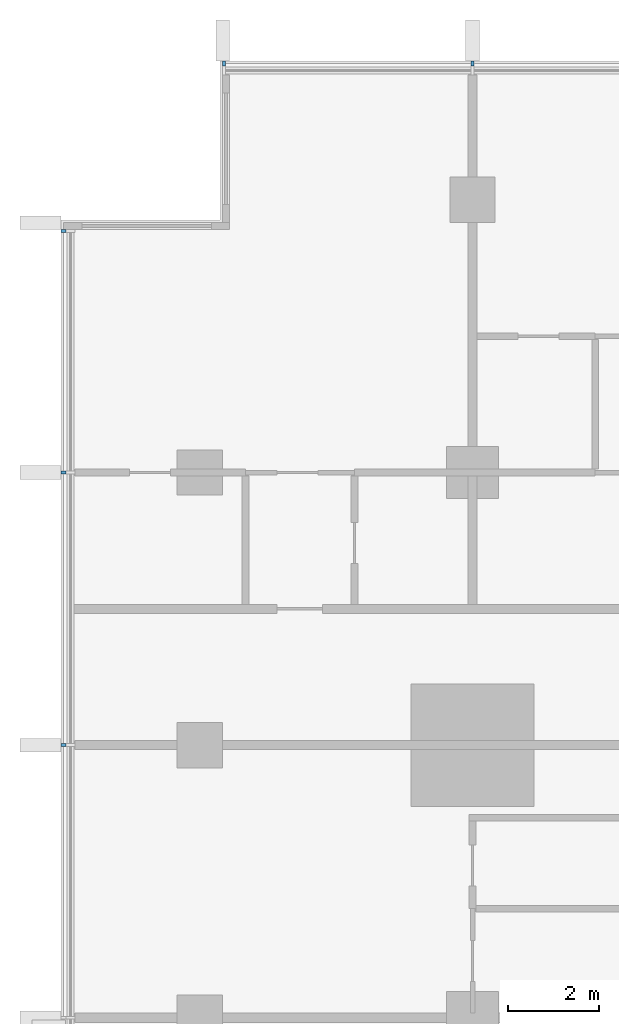
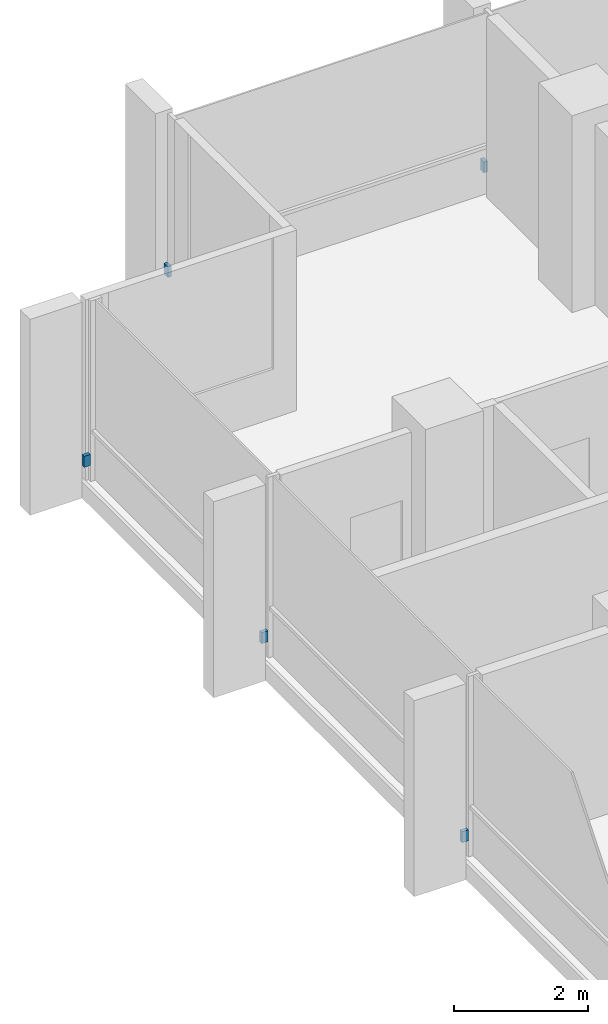
# One storey, part 15 of 17: 5 discrete accessories.
"""IFC4 building model written with IfcOpenShell, lengths in metres."""

from ifc_helpers import new_model, si_unit, direction, frame, origin, origin_2d, place, context, subcontext, project, spatial, rectangle, extrude, material, type_object, element, save


model = new_model("IFC4")

# Units and contexts
model_context = context("Model", 3, precision=1e-05, world=origin(), true_north=direction((0.0, 1.0)))
body_context = subcontext(model_context, "Body", "Model", "MODEL_VIEW")
ifc_project = project(units=[si_unit("LENGTHUNIT", "METRE"), si_unit("AREAUNIT", "SQUARE_METRE"), si_unit("VOLUMEUNIT", "CUBIC_METRE"), si_unit("PLANEANGLEUNIT", "RADIAN"), si_unit("MASSUNIT", "GRAM", prefix="KILO")], contexts=[model_context])

# Site, building, storey
site_placement = place(None, origin())
site = spatial("IfcSite", under=ifc_project, at=site_placement, CompositionType="ELEMENT")
building_placement = place(site_placement, origin())
building = spatial("IfcBuilding", under=site, at=building_placement, Name="Finial Court Residences", CompositionType="ELEMENT")
storey_placement = place(building_placement, frame((0.0, 0.0, 124.300048828125)))
storey = spatial("IfcBuildingStorey", under=building, at=storey_placement, Name="L31", CompositionType="ELEMENT", Elevation=124.300048828125)

# Discrete accessories
ifc_material = material(Name="Stainless steel 316", Category="steel")
discrete_accessory_type = type_object("IfcDiscreteAccessoryType", Name="Fin bracket, stainless steel 65 x 110 x 200", PredefinedType="BRACKET", material=ifc_material)
for number, where, z_axis, x_axis, name in (
    (1, (-21.967529296875, 22.5048828125, 0.2998046875), (0.0, 0.0, 1.0), (1.0, 0.0, 0.0), "E-L31-FIN-N1-BRK"),
    (2, (-16.5, 22.5048828125, 0.2998046875), (0.0, 0.0, 1.0), (1.0, 0.0, 0.0), "E-L31-FIN-N2-BRK"),
):
    element("IfcDiscreteAccessory", number, at=place(storey_placement, frame(where, z_axis=z_axis, x_axis=x_axis)), inside=storey, type_object=discrete_accessory_type, Name=name, PredefinedType="BRACKET", context=body_context, shape_type="SweptSolid", body=[
        extrude(rectangle(XDim=0.06494140625, YDim=0.110107421875, at=origin_2d()), origin(), (0.0, 0.0, 1.0), 0.199951171875),
    ])
for number, where, z_axis, x_axis, name in (
    (3, (-25.5048828125, 7.5, 0.2998046875), (0.0, 0.0, 1.0), (1.0, 0.0, 0.0), "E-L31-FIN-W30-BRK"),
    (4, (-25.5048828125, 13.5, 0.2998046875), (0.0, 0.0, 1.0), (1.0, 0.0, 0.0), "E-L31-FIN-W31-BRK"),
    (5, (-25.5048828125, 18.8173828125, 0.2998046875), (0.0, 0.0, 1.0), (1.0, 0.0, 0.0), "E-L31-FIN-W32-BRK"),
):
    element("IfcDiscreteAccessory", number, at=place(storey_placement, frame(where, z_axis=z_axis, x_axis=x_axis)), inside=storey, type_object=discrete_accessory_type, Name=name, PredefinedType="BRACKET", context=body_context, shape_type="SweptSolid", body=[
        extrude(rectangle(XDim=0.110107421875, YDim=0.06494140625, at=origin_2d()), origin(), (0.0, 0.0, 1.0), 0.199951171875),
    ])

save(model, "model.ifc")
